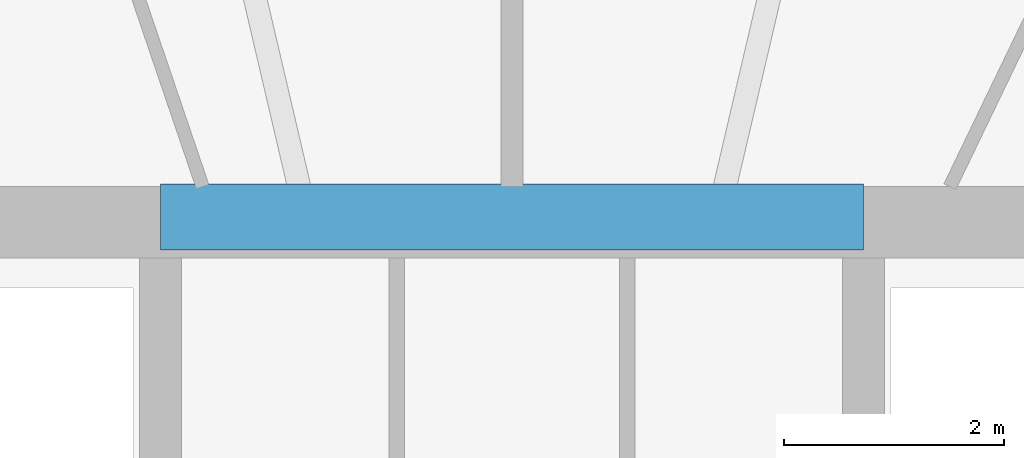
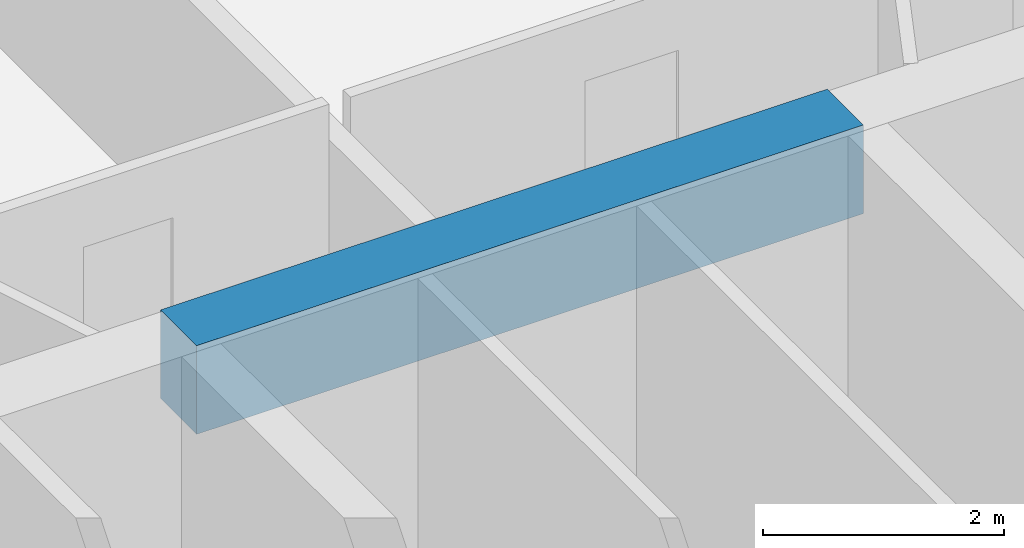
# One storey, part 8 of 27: 1 beam.
"""IFC4 building model written with IfcOpenShell, lengths in metres."""

from ifc_helpers import new_model, si_unit, direction, frame, origin, origin_2d, place, context, subcontext, project, spatial, rectangle, extrude, material, material_profile, profile_set, type_object, element, save


model = new_model("IFC4")

# Units and contexts
model_context = context("Model", 3, precision=1e-05, world=origin(), true_north=direction((-0.2419218956, 0.970295726276)))
body_context = subcontext(model_context, "Body", "Model", "MODEL_VIEW")
ifc_project = project(units=[si_unit("LENGTHUNIT", "METRE"), si_unit("AREAUNIT", "SQUARE_METRE"), si_unit("VOLUMEUNIT", "CUBIC_METRE"), si_unit("PLANEANGLEUNIT", "RADIAN"), si_unit("MASSUNIT", "GRAM", prefix="KILO")], contexts=[model_context])

# Site, building, storey
site_placement = place(None, origin())
site = spatial("IfcSite", under=ifc_project, at=site_placement, CompositionType="ELEMENT")
building_placement = place(site_placement, origin())
building = spatial("IfcBuilding", under=site, at=building_placement, Name="Cobrevalo Terracotta Tower", CompositionType="ELEMENT")
storey_placement = place(building_placement, frame((0.0, 0.0, 146.199951171875)))
storey = spatial("IfcBuildingStorey", under=building, at=storey_placement, Name="L38", CompositionType="ELEMENT", Elevation=146.199951171875)

# Beam
ifc_material = material(Name="Concrete C60", Category="concrete")
ifc_material_profile = material_profile(ifc_material, rectangle(XDim=0.60009765625, YDim=0.89990234375, at=origin_2d()), Name="RC CB 600x900")
ifc_profile_set = profile_set([ifc_material_profile], Name="Concrete C60")
beam_type = type_object("IfcBeamType", Name="Structural Beam RC CB 600x900 (Concrete C60)", PredefinedType="BEAM", material=ifc_profile_set)
beam_placement = place(storey_placement, frame((34.800048828125, 34.800048828125, 2.880126953125), z_axis=(1.0, 0.0, 0.0), x_axis=(0.0, 1.0, 0.0)))
element("IfcBeam", 1, at=beam_placement, inside=storey, type_object=beam_type, Name="L38 core coupling beam 2", PredefinedType="BEAM", context=body_context, shape_type="SweptSolid", body=[
    extrude(rectangle(XDim=0.60009765625, YDim=0.89990234375, at=origin_2d()), origin(), (0.0, 0.0, 1.0), 6.39990234375),
])

save(model, "model.ifc")
